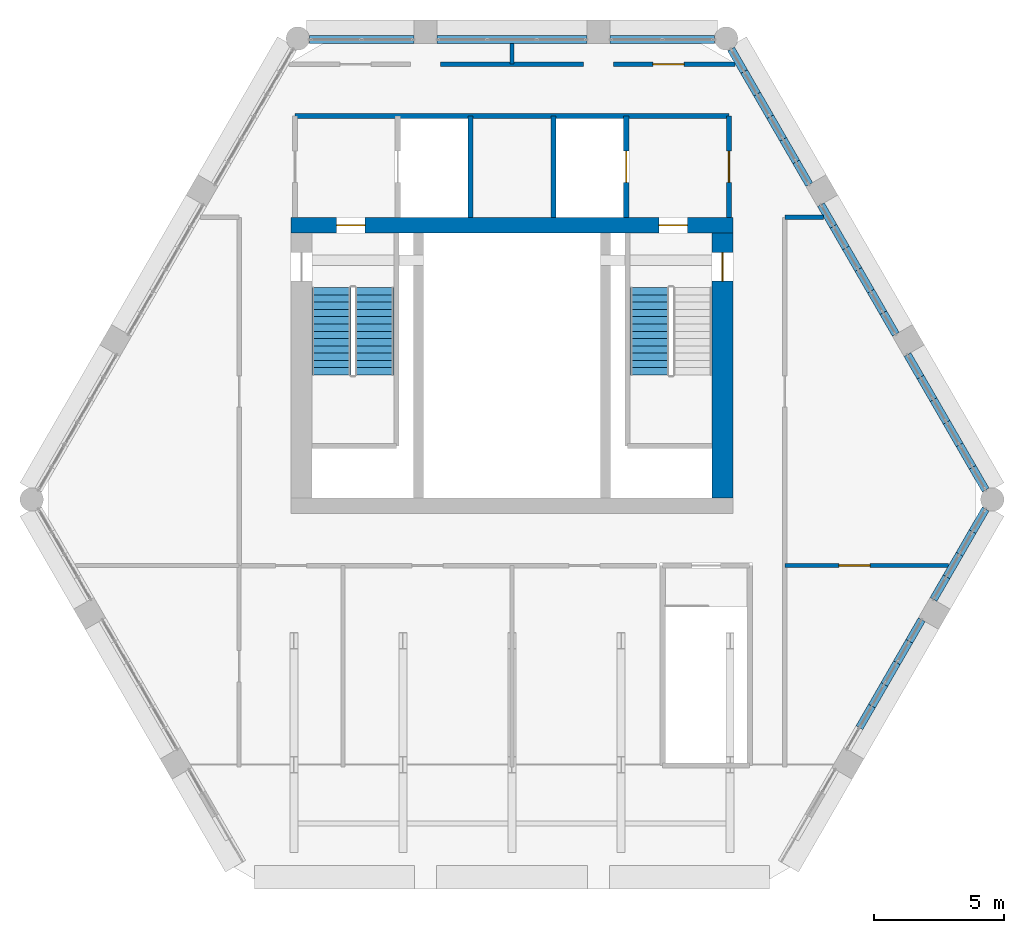
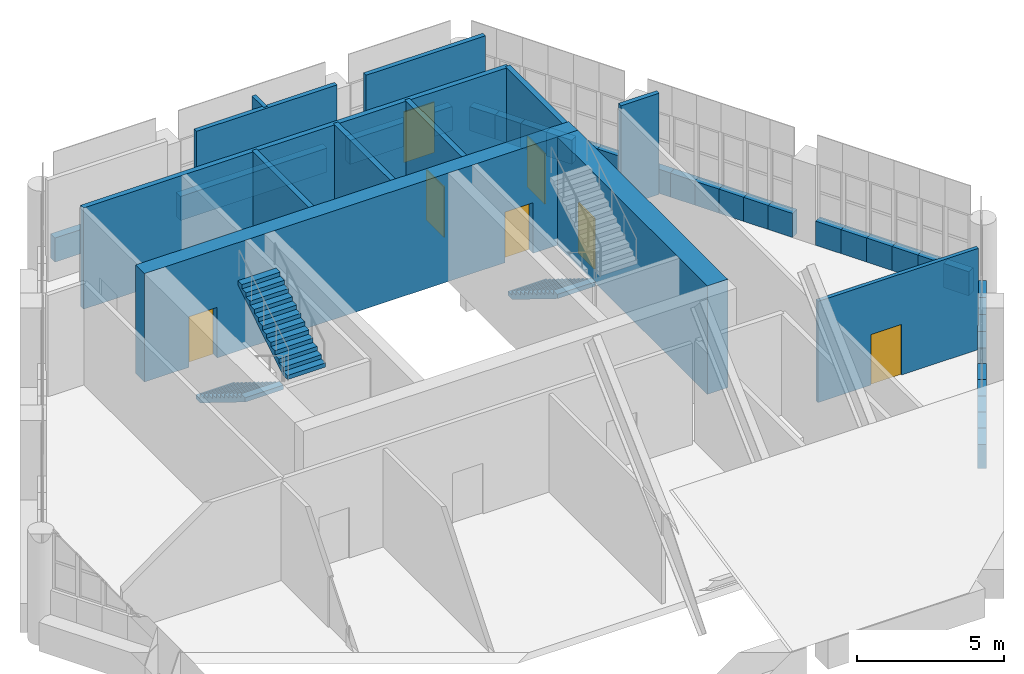
# One storey, part 21 of 25: 42 walls, 7 doors, 3 stair flights, 7 openings, 2 elements without a shape of their own.
"""IFC4 building model written with IfcOpenShell, lengths in metres."""

from ifc_helpers import new_model, si_unit, direction, frame, frame_2d, origin, place, context, subcontext, project, spatial, polyline, rectangle, outline, extrude, material, layer, layer_set, type_object, element, fill, aggregate, save


model = new_model("IFC4")

# Units and contexts
model_context = context("Model", 3, precision=1e-05, world=origin(), true_north=direction((0.0, 1.0)))
body_context = subcontext(model_context, "Body", "Model", "MODEL_VIEW")
ifc_project = project(units=[si_unit("LENGTHUNIT", "METRE"), si_unit("AREAUNIT", "SQUARE_METRE"), si_unit("VOLUMEUNIT", "CUBIC_METRE"), si_unit("PLANEANGLEUNIT", "RADIAN"), si_unit("MASSUNIT", "GRAM", prefix="KILO")], contexts=[model_context])

# Site, building, storey
site_placement = place(None, origin())
site = spatial("IfcSite", under=ifc_project, at=site_placement, CompositionType="ELEMENT")
building_placement = place(site_placement, origin())
building = spatial("IfcBuilding", under=site, at=building_placement, Name="Ostrander Bayou Hotel Tower", CompositionType="ELEMENT")
storey_placement = place(building_placement, frame((0.0, 0.0, 275.0)))
storey = spatial("IfcBuildingStorey", under=building, at=storey_placement, Name="L68", CompositionType="ELEMENT", Elevation=275.0)

# Wall, openings, doors
ifc_material_1 = material(Name="Concrete f'c 60 MPa", Category="concrete")
ifc_layer_1 = layer(ifc_material_1, 0.60009765625)
ifc_layer_set_1 = layer_set([ifc_layer_1], Name="CW10 core wall 600 mm f'c 60 MPa")
wall_type_1 = type_object("IfcWallType", Name="CW10 core wall 600 mm f'c 60 MPa", PredefinedType="SHEAR", material=ifc_layer_set_1)
wall_1_placement = place(storey_placement, frame((-8.5, 9.39990234375, -0.300048828125), z_axis=(0.0, 0.0, 1.0), x_axis=(1.0, 0.0, 0.0)))
wall_1 = element("IfcWall", 1, at=wall_1_placement, inside=storey, type_object=wall_type_1, Name="CW10 L68 N", PredefinedType="SHEAR", context=body_context, shape_type="SweptSolid", body=[
    extrude(rectangle(XDim=17.0, YDim=0.60009765625, at=frame_2d((8.5, 0.0))), origin(), (0.0, 0.0, 1.0), 4.5),
])
opening_1_placement = place(wall_1_placement, frame((1.75, 0.0, 0.0)))
opening_1 = element("IfcOpeningElement", 2, at=opening_1_placement, cuts=wall_1, Name="Opening T68-001", PredefinedType="OPENING", context=body_context, shape_type="SweptSolid", body=[
    extrude(rectangle(XDim=1.10009765625, YDim=2.10009765625, at=frame_2d((0.550048828125, 1.050048828125))), frame((0.0, 0.300048828125, 0.0), z_axis=(0.0, -1.0, 0.0), x_axis=(1.0, 0.0, 0.0)), (0.0, 0.0, 1.0), 0.60009765625),
])
opening_2_placement = place(wall_1_placement, frame((14.14990234375, 0.0, 0.0)))
opening_2 = element("IfcOpeningElement", 3, at=opening_2_placement, cuts=wall_1, Name="Opening T68-003", PredefinedType="OPENING", context=body_context, shape_type="SweptSolid", body=[
    extrude(rectangle(XDim=1.10009765625, YDim=2.10009765625, at=frame_2d((0.550048828125, 1.050048828125))), frame((0.0, 0.300048828125, 0.0), z_axis=(0.0, -1.0, 0.0), x_axis=(1.0, 0.0, 0.0)), (0.0, 0.0, 1.0), 0.60009765625),
])
ifc_material_2 = material(Name="Timber door leaf", Category="wood")
door_type_1 = type_object("IfcDoorType", Name="D5 stair door 1100 x 2100 mm, 90 minute", OperationType="SINGLE_SWING_LEFT", PredefinedType="DOOR", material=ifc_material_2)
door_1_placement = place(opening_1_placement, origin())
door_1 = element("IfcDoor", 4, at=door_1_placement, inside=storey, type_object=door_type_1, Name="dr:L68:001", OperationType="SINGLE_SWING_LEFT", OverallHeight=2.10009765625, OverallWidth=1.10009765625, PredefinedType="DOOR", context=body_context, shape_type="SweptSolid", body=[
    extrude(rectangle(XDim=1.10009765625, YDim=2.10009765625, at=frame_2d((0.550048828125, 1.050048828125))), frame((0.0, 0.02490234375, 0.0), z_axis=(0.0, -1.0, 0.0), x_axis=(1.0, 0.0, 0.0)), (0.0, 0.0, 1.0), 0.050048828125),
])
fill(opening_1, door_1)
door_2_placement = place(opening_2_placement, origin())
door_2 = element("IfcDoor", 5, at=door_2_placement, inside=storey, type_object=door_type_1, Name="dr:L68:003", OperationType="SINGLE_SWING_RIGHT", OverallHeight=2.10009765625, OverallWidth=1.10009765625, PredefinedType="DOOR", context=body_context, shape_type="SweptSolid", body=[
    extrude(rectangle(XDim=1.10009765625, YDim=2.10009765625, at=frame_2d((0.550048828125, 1.050048828125))), frame((0.0, 0.02490234375, 0.0), z_axis=(0.0, -1.0, 0.0), x_axis=(1.0, 0.0, 0.0)), (0.0, 0.0, 1.0), 0.050048828125),
])
fill(opening_2, door_2)

# Wall, opening, door
ifc_material_3 = material(Name="Concrete f'c 60 MPa", Category="concrete")
ifc_layer_2 = layer(ifc_material_3, 0.800048828125)
ifc_layer_set_2 = layer_set([ifc_layer_2], Name="CW11 core spine wall 800 mm f'c 60 MPa")
wall_type_2 = type_object("IfcWallType", Name="CW11 core spine wall 800 mm f'c 60 MPa", PredefinedType="SHEAR", material=ifc_layer_set_2)
wall_2_placement = place(storey_placement, frame((8.10009765625, -1.10009765625, -0.300048828125), z_axis=(0.0, 0.0, 1.0), x_axis=(0.0, 1.0, 0.0)))
wall_2 = element("IfcWall", 6, at=wall_2_placement, inside=storey, type_object=wall_type_2, Name="CW11 L68 E", PredefinedType="SHEAR", context=body_context, shape_type="SweptSolid", body=[
    extrude(rectangle(XDim=10.2001953125, YDim=0.800048828125, at=frame_2d((5.10009765625, 0.0))), origin(), (0.0, 0.0, 1.0), 4.5),
])
opening_3_placement = place(wall_2_placement, frame((8.35009765625, 0.0, 0.0)))
opening_3 = element("IfcOpeningElement", 7, at=opening_3_placement, cuts=wall_2, Name="Opening T68-004", PredefinedType="OPENING", context=body_context, shape_type="SweptSolid", body=[
    extrude(rectangle(XDim=1.10009765625, YDim=2.10009765625, at=frame_2d((0.550048828125, 1.050048828125))), frame((0.0, 0.39990234375, 0.0), z_axis=(0.0, -1.0, 0.0), x_axis=(1.0, 0.0, 0.0)), (0.0, 0.0, 1.0), 0.800048828125),
])
door_3_placement = place(opening_3_placement, origin())
door_3 = element("IfcDoor", 8, at=door_3_placement, inside=storey, type_object=door_type_1, Name="dr:L68:004", OperationType="SINGLE_SWING_LEFT", OverallHeight=2.10009765625, OverallWidth=1.10009765625, PredefinedType="DOOR", context=body_context, shape_type="SweptSolid", body=[
    extrude(rectangle(XDim=1.10009765625, YDim=2.10009765625, at=frame_2d((0.550048828125, 1.050048828125))), frame((0.0, 0.02490234375, 0.0), z_axis=(0.0, -1.0, 0.0), x_axis=(1.0, 0.0, 0.0)), (0.0, 0.0, 1.0), 0.050048828125),
])
fill(opening_3, door_3)

# Walls
ifc_material_4 = material(Name="Reconstituted stone on masonry backing", Category="masonry")
ifc_layer_3 = layer(ifc_material_4, 0.300048828125)
ifc_layer_set_3 = layer_set([ifc_layer_3], Name="NW1 north stone wall 300 mm")
wall_type_3 = type_object("IfcWallType", Name="NW1 north stone wall 300 mm", PredefinedType="SOLIDWALL", material=ifc_layer_set_3)
wall_3_placement = place(storey_placement, frame((7.7958984375, 16.550048828125, 0.0), z_axis=(0.0, 0.0, 1.0), x_axis=(-1.0, 0.0, 0.0)))
element("IfcWall", 9, at=wall_3_placement, inside=storey, type_object=wall_type_3, Name="NW1 L68 N-1 sill", PredefinedType="SOLIDWALL", context=body_context, shape_type="SweptSolid", body=[
    extrude(rectangle(XDim=4.0166015625, YDim=0.300048828125, at=frame_2d((2.00830078125, 0.0))), origin(), (0.0, 0.0, 1.0), 1.0),
])
wall_4_placement = place(storey_placement, frame((2.87939453125, 16.550048828125, 0.0), z_axis=(0.0, 0.0, 1.0), x_axis=(-1.0, 0.0, 0.0)))
element("IfcWall", 10, at=wall_4_placement, inside=storey, type_object=wall_type_3, Name="NW1 L68 N-2 sill", PredefinedType="SOLIDWALL", context=body_context, shape_type="SweptSolid", body=[
    extrude(rectangle(XDim=5.7587890625, YDim=0.300048828125, at=frame_2d((2.87939453125, 0.0))), origin(), (0.0, 0.0, 1.0), 1.0),
])
wall_5_placement = place(storey_placement, frame((-3.779296875, 16.550048828125, 0.0), z_axis=(0.0, 0.0, 1.0), x_axis=(-1.0, 0.0, 0.0)))
element("IfcWall", 11, at=wall_5_placement, inside=storey, type_object=wall_type_3, Name="NW1 L68 N-3 sill", PredefinedType="SOLIDWALL", context=body_context, shape_type="SweptSolid", body=[
    extrude(rectangle(XDim=4.0166015625, YDim=0.300048828125, at=frame_2d((2.00830078125, 0.0))), origin(), (0.0, 0.0, 1.0), 1.0),
])
for number, where, z_axis, x_axis, name in (
    (12, (13.372802734375, -9.9375, 0.0), (0.0, 0.0, 1.0), (0.500023335103, 0.866011930837, 0.0), "NW1 L68 SE-2-2 sill"),
    (13, (13.852783203125, -9.106201171875, 0.0), (0.0, 0.0, 1.0), (0.500023335103, 0.866011930837, 0.0), "NW1 L68 SE-2-3 sill"),
):
    element("IfcWall", number, at=place(storey_placement, frame(where, z_axis=z_axis, x_axis=x_axis)), inside=storey, type_object=wall_type_3, Name=name, PredefinedType="SOLIDWALL", context=body_context, shape_type="SweptSolid", body=[
        extrude(rectangle(XDim=0.9599609375, YDim=0.300048828125, at=frame_2d((0.47998046875, 0.0))), origin(), (0.0, 0.0, 1.0), 1.0),
    ])
wall_6_placement = place(storey_placement, frame((14.332763671875, -8.27490234375, 0.0), z_axis=(0.0, 0.0, 1.0), x_axis=(0.499942693199, 0.866058487353, 0.0)))
element("IfcWall", 14, at=wall_6_placement, inside=storey, type_object=wall_type_3, Name="NW1 L68 SE-2-4 sill", PredefinedType="SOLIDWALL", context=body_context, shape_type="SweptSolid", body=[
    extrude(rectangle(XDim=0.95947265625, YDim=0.300048828125, at=frame_2d((0.479736328125, 0.0))), origin(), (0.0, 0.0, 1.0), 1.0),
])
wall_7_placement = place(storey_placement, frame((14.8125, -7.44384765625, 0.0), z_axis=(0.0, 0.0, 1.0), x_axis=(0.500023335103, 0.866011930837, 0.0)))
element("IfcWall", 15, at=wall_7_placement, inside=storey, type_object=wall_type_3, Name="NW1 L68 SE-2-5 sill", PredefinedType="SOLIDWALL", context=body_context, shape_type="SweptSolid", body=[
    extrude(rectangle(XDim=0.9599609375, YDim=0.300048828125, at=frame_2d((0.47998046875, 0.0))), origin(), (0.0, 0.0, 1.0), 1.0),
])
wall_8_placement = place(storey_placement, frame((15.29248046875, -6.612548828125, 0.0), z_axis=(0.0, 0.0, 1.0), x_axis=(0.500133489192, 0.865948320045, 0.0)))
element("IfcWall", 16, at=wall_8_placement, inside=storey, type_object=wall_type_3, Name="NW1 L68 SE-2-6 sill", PredefinedType="SOLIDWALL", context=body_context, shape_type="SweptSolid", body=[
    extrude(rectangle(XDim=0.959716796875, YDim=0.300048828125, at=frame_2d((0.47998046875, 0.0))), origin(), (0.0, 0.0, 1.0), 1.0),
])
wall_9_placement = place(storey_placement, frame((16.222412109375, -5.001953125, 0.0), z_axis=(0.0, 0.0, 1.0), x_axis=(0.500115484592, 0.865958718457, 0.0)))
element("IfcWall", 17, at=wall_9_placement, inside=storey, type_object=wall_type_3, Name="NW1 L68 SE-3-1 sill", PredefinedType="SOLIDWALL", context=body_context, shape_type="SweptSolid", body=[
    extrude(rectangle(XDim=1.003662109375, YDim=0.300048828125, at=frame_2d((0.501953125, 0.0))), origin(), (0.0, 0.0, 1.0), 1.0),
])
wall_10_placement = place(storey_placement, frame((16.724365234375, -4.1328125, 0.0), z_axis=(0.0, 0.0, 1.0), x_axis=(0.499904868165, 0.866080321209, 0.0)))
element("IfcWall", 18, at=wall_10_placement, inside=storey, type_object=wall_type_3, Name="NW1 L68 SE-3-2 sill", PredefinedType="SOLIDWALL", context=body_context, shape_type="SweptSolid", body=[
    extrude(rectangle(XDim=1.004150390625, YDim=0.300048828125, at=frame_2d((0.501953125, 0.0))), origin(), (0.0, 0.0, 1.0), 1.0),
])
wall_11_placement = place(storey_placement, frame((17.226318359375, -3.26318359375, 0.0), z_axis=(0.0, 0.0, 1.0), x_axis=(0.499933044277, 0.866064057238, 0.0)))
element("IfcWall", 19, at=wall_11_placement, inside=storey, type_object=wall_type_3, Name="NW1 L68 SE-3-3 sill", PredefinedType="SOLIDWALL", context=body_context, shape_type="SweptSolid", body=[
    extrude(rectangle(XDim=1.003662109375, YDim=0.300048828125, at=frame_2d((0.501953125, 0.0))), origin(), (0.0, 0.0, 1.0), 1.0),
])
wall_12_placement = place(storey_placement, frame((17.72802734375, -2.39404296875, 0.0), z_axis=(0.0, 0.0, 1.0), x_axis=(0.500010157896, 0.866019539041, 0.0)))
element("IfcWall", 20, at=wall_12_placement, inside=storey, type_object=wall_type_3, Name="NW1 L68 SE-3-4 sill", PredefinedType="SOLIDWALL", context=body_context, shape_type="SweptSolid", body=[
    extrude(rectangle(XDim=1.00390625, YDim=0.300048828125, at=frame_2d((0.501953125, 0.0))), origin(), (0.0, 0.0, 1.0), 1.0),
])
for number, where, z_axis, x_axis, name in (
    (21, (18.22998046875, -0.788330078125, 0.0), (0.0, 0.0, 1.0), (-0.499961250474, 0.866047774678, 0.0), "NW1 L68 NE-1-1 sill"),
    (22, (17.728515625, 0.080322265625, 0.0), (0.0, 0.0, 1.0), (-0.499961250474, 0.866047774678, 0.0), "NW1 L68 NE-1-2 sill"),
    (23, (17.22705078125, 0.948974609375, 0.0), (0.0, 0.0, 1.0), (-0.499961250474, 0.866047774678, 0.0), "NW1 L68 NE-1-3 sill"),
    (24, (16.7255859375, 1.817626953125, 0.0), (0.0, 0.0, 1.0), (-0.499961250474, 0.866047774678, 0.0), "NW1 L68 NE-1-4 sill"),
):
    element("IfcWall", number, at=place(storey_placement, frame(where, z_axis=z_axis, x_axis=x_axis)), inside=storey, type_object=wall_type_3, Name=name, PredefinedType="SOLIDWALL", context=body_context, shape_type="SweptSolid", body=[
        extrude(rectangle(XDim=1.0029296875, YDim=0.300048828125, at=frame_2d((0.50146484375, 0.0))), origin(), (0.0, 0.0, 1.0), 1.0),
    ])
wall_13_placement = place(storey_placement, frame((16.22412109375, 2.686279296875, 0.0), z_axis=(0.0, 0.0, 1.0), x_axis=(-0.500143783026, 0.865942374699, 0.0)))
element("IfcWall", 25, at=wall_13_placement, inside=storey, type_object=wall_type_3, Name="NW1 L68 NE-1-5 sill", PredefinedType="SOLIDWALL", context=body_context, shape_type="SweptSolid", body=[
    extrude(rectangle(XDim=1.003173828125, YDim=0.300048828125, at=frame_2d((0.50146484375, 0.0))), origin(), (0.0, 0.0, 1.0), 1.0),
])
wall_14_placement = place(storey_placement, frame((15.722412109375, 3.554931640625, 0.0), z_axis=(0.0, 0.0, 1.0), x_axis=(-0.499961250474, 0.866047774678, 0.0)))
element("IfcWall", 26, at=wall_14_placement, inside=storey, type_object=wall_type_3, Name="NW1 L68 NE-1-6 sill", PredefinedType="SOLIDWALL", context=body_context, shape_type="SweptSolid", body=[
    extrude(rectangle(XDim=1.0029296875, YDim=0.300048828125, at=frame_2d((0.50146484375, 0.0))), origin(), (0.0, 0.0, 1.0), 1.0),
])
wall_15_placement = place(storey_placement, frame((14.77099609375, 5.203125, 0.0), z_axis=(0.0, 0.0, 1.0), x_axis=(-0.500133489192, 0.865948320045, 0.0)))
element("IfcWall", 27, at=wall_15_placement, inside=storey, type_object=wall_type_3, Name="NW1 L68 NE-2-1 sill", PredefinedType="SOLIDWALL", context=body_context, shape_type="SweptSolid", body=[
    extrude(rectangle(XDim=0.959716796875, YDim=0.300048828125, at=frame_2d((0.47998046875, 0.0))), origin(), (0.0, 0.0, 1.0), 1.0),
])
wall_16_placement = place(storey_placement, frame((14.291015625, 6.0341796875, 0.0), z_axis=(0.0, 0.0, 1.0), x_axis=(-0.500023335103, 0.866011930837, 0.0)))
element("IfcWall", 28, at=wall_16_placement, inside=storey, type_object=wall_type_3, Name="NW1 L68 NE-2-2 sill", PredefinedType="SOLIDWALL", context=body_context, shape_type="SweptSolid", body=[
    extrude(rectangle(XDim=0.9599609375, YDim=0.300048828125, at=frame_2d((0.47998046875, 0.0))), origin(), (0.0, 0.0, 1.0), 1.0),
])
wall_17_placement = place(storey_placement, frame((13.81103515625, 6.865478515625, 0.0), z_axis=(0.0, 0.0, 1.0), x_axis=(-0.499832553123, 0.866122057702, 0.0)))
element("IfcWall", 29, at=wall_17_placement, inside=storey, type_object=wall_type_3, Name="NW1 L68 NE-2-3 sill", PredefinedType="SOLIDWALL", context=body_context, shape_type="SweptSolid", body=[
    extrude(rectangle(XDim=0.959716796875, YDim=0.300048828125, at=frame_2d((0.47998046875, 0.0))), origin(), (0.0, 0.0, 1.0), 1.0),
])
wall_18_placement = place(storey_placement, frame((13.331298828125, 7.69677734375, 0.0), z_axis=(0.0, 0.0, 1.0), x_axis=(-0.500023335103, 0.866011930837, 0.0)))
element("IfcWall", 30, at=wall_18_placement, inside=storey, type_object=wall_type_3, Name="NW1 L68 NE-2-4 sill", PredefinedType="SOLIDWALL", context=body_context, shape_type="SweptSolid", body=[
    extrude(rectangle(XDim=0.9599609375, YDim=0.300048828125, at=frame_2d((0.47998046875, 0.0))), origin(), (0.0, 0.0, 1.0), 1.0),
])
for number, where, z_axis, x_axis, name in (
    (31, (12.851318359375, 8.528076171875, 0.0), (0.0, 0.0, 1.0), (-0.500133489192, 0.865948320045, 0.0), "NW1 L68 NE-2-5 sill"),
    (32, (12.371337890625, 9.359130859375, 0.0), (0.0, 0.0, 1.0), (-0.499832553123, 0.866122057702, 0.0), "NW1 L68 NE-2-6 sill"),
):
    element("IfcWall", number, at=place(storey_placement, frame(where, z_axis=z_axis, x_axis=x_axis)), inside=storey, type_object=wall_type_3, Name=name, PredefinedType="SOLIDWALL", context=body_context, shape_type="SweptSolid", body=[
        extrude(rectangle(XDim=0.959716796875, YDim=0.300048828125, at=frame_2d((0.47998046875, 0.0))), origin(), (0.0, 0.0, 1.0), 1.0),
    ])
for number, where, z_axis, x_axis, name in (
    (33, (11.44140625, 10.9697265625, 0.0), (0.0, 0.0, 1.0), (-0.499855875421, 0.866108598161, 0.0), "NW1 L68 NE-3-1 sill"),
    (34, (10.93994140625, 11.838623046875, 0.0), (0.0, 0.0, 1.0), (-0.500143783026, 0.865942374699, 0.0), "NW1 L68 NE-3-2 sill"),
    (35, (10.438232421875, 12.707275390625, 0.0), (0.0, 0.0, 1.0), (-0.499855875421, 0.866108598161, 0.0), "NW1 L68 NE-3-3 sill"),
):
    element("IfcWall", number, at=place(storey_placement, frame(where, z_axis=z_axis, x_axis=x_axis)), inside=storey, type_object=wall_type_3, Name=name, PredefinedType="SOLIDWALL", context=body_context, shape_type="SweptSolid", body=[
        extrude(rectangle(XDim=1.003173828125, YDim=0.300048828125, at=frame_2d((0.50146484375, 0.0))), origin(), (0.0, 0.0, 1.0), 1.0),
    ])
wall_19_placement = place(storey_placement, frame((9.936767578125, 13.576171875, 0.0), z_axis=(0.0, 0.0, 1.0), x_axis=(-0.499961250474, 0.866047774678, 0.0)))
element("IfcWall", 36, at=wall_19_placement, inside=storey, type_object=wall_type_3, Name="NW1 L68 NE-3-4 sill", PredefinedType="SOLIDWALL", context=body_context, shape_type="SweptSolid", body=[
    extrude(rectangle(XDim=1.0029296875, YDim=0.300048828125, at=frame_2d((0.50146484375, 0.0))), origin(), (0.0, 0.0, 1.0), 1.0),
])
wall_20_placement = place(storey_placement, frame((9.435302734375, 14.44482421875, 0.0), z_axis=(0.0, 0.0, 1.0), x_axis=(-0.500038395149, 0.8660032352, 0.0)))
element("IfcWall", 37, at=wall_20_placement, inside=storey, type_object=wall_type_3, Name="NW1 L68 NE-3-5 sill", PredefinedType="SOLIDWALL", context=body_context, shape_type="SweptSolid", body=[
    extrude(rectangle(XDim=1.00341796875, YDim=0.300048828125, at=frame_2d((0.501708984375, 0.0))), origin(), (0.0, 0.0, 1.0), 1.0),
])
wall_21_placement = place(storey_placement, frame((8.93359375, 15.313720703125, 0.0), z_axis=(0.0, 0.0, 1.0), x_axis=(-0.500143783026, 0.865942374699, 0.0)))
element("IfcWall", 38, at=wall_21_placement, inside=storey, type_object=wall_type_3, Name="NW1 L68 NE-3-6 sill", PredefinedType="SOLIDWALL", context=body_context, shape_type="SweptSolid", body=[
    extrude(rectangle(XDim=1.003173828125, YDim=0.300048828125, at=frame_2d((0.50146484375, 0.0))), origin(), (0.0, 0.0, 1.0), 1.0),
])
ifc_material_5 = material(Name="Gypsum board partition", Category="finish")
ifc_layer_4 = layer(ifc_material_5, 0.175048828125)
ifc_layer_set_4 = layer_set([ifc_layer_4], Name="PT4 corridor wall 175 mm, 1 hour")
wall_type_4 = type_object("IfcWallType", Name="PT4 corridor wall 175 mm, 1 hour", PredefinedType="PARTITIONING", material=ifc_layer_set_4)
wall_22_placement = place(storey_placement, frame((10.5, 9.699951171875, 0.0), z_axis=(0.0, 0.0, 1.0), x_axis=(1.0, 0.0, 0.0)))
element("IfcWall", 39, at=wall_22_placement, inside=storey, type_object=wall_type_4, Name="sw:L68:003", PredefinedType="PARTITIONING", context=body_context, shape_type="SweptSolid", body=[
    extrude(rectangle(XDim=1.496337890625, YDim=0.175048828125, at=frame_2d((0.748046875, 0.0))), origin(), (0.0, 0.0, 1.0), 4.199951171875),
])
wall_23_placement = place(storey_placement, frame((-2.755859375, 15.60009765625, 0.0), z_axis=(0.0, 0.0, 1.0), x_axis=(1.0, 0.0, 0.0)))
element("IfcWall", 40, at=wall_23_placement, inside=storey, type_object=wall_type_4, Name="sw:L68:005", PredefinedType="PARTITIONING", context=body_context, shape_type="SweptSolid", body=[
    extrude(rectangle(XDim=5.51171875, YDim=0.175048828125, at=frame_2d((2.755859375, 0.0))), origin(), (0.0, 0.0, 1.0), 4.199951171875),
])

# Wall, opening, door
wall_24_placement = place(storey_placement, frame((3.903076171875, 15.60009765625, 0.0), z_axis=(0.0, 0.0, 1.0), x_axis=(1.0, 0.0, 0.0)))
wall_24 = element("IfcWall", 41, at=wall_24_placement, inside=storey, type_object=wall_type_4, Name="sw:L68:006", PredefinedType="PARTITIONING", context=body_context, shape_type="SweptSolid", body=[
    extrude(rectangle(XDim=4.68701171875, YDim=0.175048828125, at=frame_2d((2.343505859375, 0.0))), origin(), (0.0, 0.0, 1.0), 4.199951171875),
])
opening_4_placement = place(wall_24_placement, frame((1.523193359375, 0.0, 0.0)))
opening_4 = element("IfcOpeningElement", 42, at=opening_4_placement, cuts=wall_24, Name="Opening T68-208", PredefinedType="OPENING", context=body_context, shape_type="SweptSolid", body=[
    extrude(rectangle(XDim=1.199951171875, YDim=2.10009765625, at=frame_2d((0.60009765625, 1.050048828125))), frame((0.0, 0.08740234375, 0.0), z_axis=(0.0, -1.0, 0.0), x_axis=(1.0, 0.0, 0.0)), (0.0, 0.0, 1.0), 0.175048828125),
])
ifc_material_6 = material(Name="Timber door leaf", Category="wood")
door_type_2 = type_object("IfcDoorType", Name="D10 plant room door 1200 x 2100 mm, 1 hour", OperationType="SINGLE_SWING_LEFT", PredefinedType="DOOR", material=ifc_material_6)
door_4_placement = place(opening_4_placement, origin())
door_4 = element("IfcDoor", 43, at=door_4_placement, inside=storey, type_object=door_type_2, Name="dr:L68:208", OperationType="SINGLE_SWING_RIGHT", OverallHeight=2.10009765625, OverallWidth=1.199951171875, PredefinedType="DOOR", context=body_context, shape_type="SweptSolid", body=[
    extrude(rectangle(XDim=1.199951171875, YDim=2.10009765625, at=frame_2d((0.60009765625, 1.050048828125))), frame((0.0, 0.02490234375, 0.0), z_axis=(0.0, -1.0, 0.0), x_axis=(1.0, 0.0, 0.0)), (0.0, 0.0, 1.0), 0.050048828125),
])
fill(opening_4, door_4)

# Wall
ifc_material_7 = material(Name="Masonry block", Category="masonry")
ifc_layer_5 = layer(ifc_material_7, 0.199951171875)
ifc_layer_set_5 = layer_set([ifc_layer_5], Name="PT5 stair enclosure wall 200 mm masonry, 2 hour")
wall_type_5 = type_object("IfcWallType", Name="PT5 stair enclosure wall 200 mm masonry, 2 hour", PredefinedType="PARTITIONING", material=ifc_layer_set_5)
wall_25_placement = place(storey_placement, frame((-8.35009765625, 13.60009765625, 0.0), z_axis=(0.0, 0.0, 1.0), x_axis=(1.0, 0.0, 0.0)))
element("IfcWall", 44, at=wall_25_placement, inside=storey, type_object=wall_type_5, Name="cs:L68:009", PredefinedType="PARTITIONING", context=body_context, shape_type="SweptSolid", body=[
    extrude(rectangle(XDim=16.7001953125, YDim=0.199951171875, at=frame_2d((8.35009765625, 0.0))), origin(), (0.0, 0.0, 1.0), 4.199951171875),
])

# Wall, opening, door
wall_26_placement = place(storey_placement, frame((8.35009765625, 9.699951171875, 0.0), z_axis=(0.0, 0.0, 1.0), x_axis=(0.0, 1.0, 0.0)))
wall_26 = element("IfcWall", 45, at=wall_26_placement, inside=storey, type_object=wall_type_5, Name="cs:L68:011", PredefinedType="PARTITIONING", context=body_context, shape_type="SweptSolid", body=[
    extrude(rectangle(XDim=3.900146484375, YDim=0.199951171875, at=frame_2d((1.9501953125, 0.0))), origin(), (0.0, 0.0, 1.0), 4.199951171875),
])
opening_5_placement = place(wall_26_placement, frame((1.35009765625, 0.0, 0.0)))
opening_5 = element("IfcOpeningElement", 46, at=opening_5_placement, cuts=wall_26, Name="Opening T68-009", PredefinedType="OPENING", context=body_context, shape_type="SweptSolid", body=[
    extrude(rectangle(XDim=1.199951171875, YDim=2.10009765625, at=frame_2d((0.60009765625, 1.050048828125))), frame((0.0, 0.10009765625, 0.0), z_axis=(0.0, -1.0, 0.0), x_axis=(1.0, 0.0, 0.0)), (0.0, 0.0, 1.0), 0.199951171875),
])
ifc_material_8 = material(Name="Timber door leaf", Category="wood")
door_type_3 = type_object("IfcDoorType", Name="D7 lobby door 1200 x 2100 mm, 1 hour", OperationType="SINGLE_SWING_LEFT", PredefinedType="DOOR", material=ifc_material_8)
door_5_placement = place(opening_5_placement, origin())
door_5 = element("IfcDoor", 47, at=door_5_placement, inside=storey, type_object=door_type_3, Name="dr:L68:009", OperationType="SINGLE_SWING_LEFT", OverallHeight=2.10009765625, OverallWidth=1.199951171875, PredefinedType="DOOR", context=body_context, shape_type="SweptSolid", body=[
    extrude(rectangle(XDim=1.199951171875, YDim=2.10009765625, at=frame_2d((0.60009765625, 1.050048828125))), frame((0.0, 0.02490234375, 0.0), z_axis=(0.0, -1.0, 0.0), x_axis=(1.0, 0.0, 0.0)), (0.0, 0.0, 1.0), 0.050048828125),
])
fill(opening_5, door_5)

wall_27_placement = place(storey_placement, frame((4.39990234375, 9.699951171875, 0.0), z_axis=(0.0, 0.0, 1.0), x_axis=(0.0, 1.0, 0.0)))
wall_27 = element("IfcWall", 48, at=wall_27_placement, inside=storey, type_object=wall_type_5, Name="cs:L68:013", PredefinedType="PARTITIONING", context=body_context, shape_type="SweptSolid", body=[
    extrude(rectangle(XDim=3.900146484375, YDim=0.199951171875, at=frame_2d((1.9501953125, 0.0))), origin(), (0.0, 0.0, 1.0), 4.199951171875),
])
opening_6_placement = place(wall_27_placement, frame((1.35009765625, 0.0, 0.0)))
opening_6 = element("IfcOpeningElement", 49, at=opening_6_placement, cuts=wall_27, Name="Opening T68-008", PredefinedType="OPENING", context=body_context, shape_type="SweptSolid", body=[
    extrude(rectangle(XDim=1.199951171875, YDim=2.10009765625, at=frame_2d((0.60009765625, 1.050048828125))), frame((0.0, 0.10009765625, 0.0), z_axis=(0.0, -1.0, 0.0), x_axis=(1.0, 0.0, 0.0)), (0.0, 0.0, 1.0), 0.199951171875),
])
ifc_material_9 = material(Name="Stainless steel sliding door", Category="steel")
door_type_4 = type_object("IfcDoorType", Name="LD1 lift landing door 1200 x 2100 mm", OperationType="SINGLE_SWING_LEFT", PredefinedType="DOOR", material=ifc_material_9)
door_6_placement = place(opening_6_placement, origin())
door_6 = element("IfcDoor", 50, at=door_6_placement, inside=storey, type_object=door_type_4, Name="dr:L68:008", OperationType="SLIDING_TO_LEFT", OverallHeight=2.10009765625, OverallWidth=1.199951171875, PredefinedType="DOOR", context=body_context, shape_type="SweptSolid", body=[
    extrude(rectangle(XDim=1.199951171875, YDim=2.10009765625, at=frame_2d((0.60009765625, 1.050048828125))), frame((0.0, 0.02490234375, 0.0), z_axis=(0.0, -1.0, 0.0), x_axis=(1.0, 0.0, 0.0)), (0.0, 0.0, 1.0), 0.050048828125),
])
fill(opening_6, door_6)

# Walls
ifc_material_10 = material(Name="Masonry block", Category="masonry")
ifc_layer_6 = layer(ifc_material_10, 0.199951171875)
ifc_layer_set_6 = layer_set([ifc_layer_6], Name="PT6 lift shaft wall 200 mm masonry, 2 hour")
wall_type_6 = type_object("IfcWallType", Name="PT6 lift shaft wall 200 mm masonry, 2 hour", PredefinedType="PARTITIONING", material=ifc_layer_set_6)
for number, where, z_axis, x_axis, name in (
    (51, (-1.60009765625, 9.699951171875, 0.0), (0.0, 0.0, 1.0), (0.0, 1.0, 0.0), "cs:L68:014"),
    (52, (1.60009765625, 9.699951171875, 0.0), (0.0, 0.0, 1.0), (0.0, 1.0, 0.0), "cs:L68:015"),
):
    element("IfcWall", number, at=place(storey_placement, frame(where, z_axis=z_axis, x_axis=x_axis)), inside=storey, type_object=wall_type_6, Name=name, PredefinedType="PARTITIONING", context=body_context, shape_type="SweptSolid", body=[
        extrude(rectangle(XDim=3.900146484375, YDim=0.199951171875, at=frame_2d((1.9501953125, 0.0))), origin(), (0.0, 0.0, 1.0), 4.199951171875),
    ])

# Wall, opening, door
ifc_material_11 = material(Name="Gypsum board partition", Category="finish")
ifc_layer_7 = layer(ifc_material_11, 0.14990234375)
ifc_layer_set_7 = layer_set([ifc_layer_7], Name="PT7 riser wall 150 mm, 2 hour")
wall_type_7 = type_object("IfcWallType", Name="PT7 riser wall 150 mm, 2 hour", PredefinedType="PARTITIONING", material=ifc_layer_set_7)
wall_28_placement = place(storey_placement, frame((10.5, -3.699951171875, 0.0), z_axis=(0.0, 0.0, 1.0), x_axis=(1.0, 0.0, 0.0)))
wall_28 = element("IfcWall", 53, at=wall_28_placement, inside=storey, type_object=wall_type_7, Name="sw:L68:010", PredefinedType="PARTITIONING", context=body_context, shape_type="SweptSolid", body=[
    extrude(rectangle(XDim=6.2958984375, YDim=0.14990234375, at=frame_2d((3.14794921875, 0.0))), origin(), (0.0, 0.0, 1.0), 4.199951171875),
])
opening_7_placement = place(wall_28_placement, frame((2.079833984375, 0.0, 0.0)))
opening_7 = element("IfcOpeningElement", 54, at=opening_7_placement, cuts=wall_28, Name="Opening T68-205", PredefinedType="OPENING", context=body_context, shape_type="SweptSolid", body=[
    extrude(rectangle(XDim=1.199951171875, YDim=2.10009765625, at=frame_2d((0.60009765625, 1.050048828125))), frame((0.0, 0.074951171875, 0.0), z_axis=(0.0, -1.0, 0.0), x_axis=(1.0, 0.0, 0.0)), (0.0, 0.0, 1.0), 0.14990234375),
])
door_7_placement = place(opening_7_placement, origin())
door_7 = element("IfcDoor", 55, at=door_7_placement, inside=storey, type_object=door_type_2, Name="dr:L68:205", OperationType="SINGLE_SWING_LEFT", OverallHeight=2.10009765625, OverallWidth=1.199951171875, PredefinedType="DOOR", context=body_context, shape_type="SweptSolid", body=[
    extrude(rectangle(XDim=1.199951171875, YDim=2.10009765625, at=frame_2d((0.60009765625, 1.050048828125))), frame((0.0, 0.02490234375, 0.0), z_axis=(0.0, -1.0, 0.0), x_axis=(1.0, 0.0, 0.0)), (0.0, 0.0, 1.0), 0.050048828125),
])
fill(opening_7, door_7)

# Wall
wall_29_placement = place(storey_placement, frame((0.0, 15.60009765625, 0.0), z_axis=(0.0, 0.0, 1.0), x_axis=(0.0, 1.0, 0.0)))
element("IfcWall", 56, at=wall_29_placement, inside=storey, type_object=wall_type_7, Name="sw:L68:014", PredefinedType="PARTITIONING", context=body_context, shape_type="SweptSolid", body=[
    extrude(rectangle(XDim=0.794921875, YDim=0.14990234375, at=frame_2d((0.3974609375, 0.0))), origin(), (0.0, 0.0, 1.0), 4.199951171875),
])

# Stair, stair flights
ifc_material_12 = material(Name="Concrete f'c 45 MPa", Category="concrete")
stair_type = type_object("IfcStairType", Name="ST1 exit stair 1500 mm f'c 45 MPa", PredefinedType="HALF_TURN_STAIR", material=ifc_material_12)
stair_1_placement = place(storey_placement, origin())
stair_1 = element("IfcStair", 57, at=stair_1_placement, inside=storey, type_object=stair_type, Name="L68 exit stair A", PredefinedType="HALF_TURN_STAIR")
ifc_material_13 = material(Name="Concrete f'c 45 MPa", Category="concrete")
stair_flight_type = type_object("IfcStairFlightType", Name="SF1 stair flight 1500 mm f'c 45 MPa", PredefinedType="STRAIGHT", material=ifc_material_13)
stair_flight_1_placement = place(storey_placement, frame((-6.949951171875, 7.0, 0.0), z_axis=(0.0, 0.0, 1.0), x_axis=(0.0, -1.0, 0.0)))
stair_flight_1 = element("IfcStairFlight", 58, at=stair_flight_1_placement, type_object=stair_flight_type, Name="STA flight 1", NumberOfRisers=13, NumberOfTreads=12, PredefinedType="STRAIGHT", RiserHeight=0.173076923, TreadLength=0.28, context=body_context, shape_type="SweptSolid", body=[
    extrude(outline(polyline([(0.0, 0.0), (0.0, 0.173095703125), (0.280029296875, 0.173095703125), (0.280029296875, 0.34619140625), (0.56005859375, 0.34619140625), (0.56005859375, 0.519287109375), (0.840087890625, 0.519287109375), (0.840087890625, 0.6923828125), (1.1201171875, 0.6923828125), (1.1201171875, 0.865478515625), (1.39990234375, 0.865478515625), (1.39990234375, 1.03857421875), (1.679931640625, 1.03857421875), (1.679931640625, 1.21142578125), (1.9599609375, 1.21142578125), (1.9599609375, 1.384521484375), (2.239990234375, 1.384521484375), (2.239990234375, 1.5576171875), (2.52001953125, 1.5576171875), (2.52001953125, 1.730712890625), (2.800048828125, 1.730712890625), (2.800048828125, 1.90380859375), (3.080078125, 1.90380859375), (3.080078125, 2.076904296875), (3.360107421875, 2.076904296875), (3.360107421875, 2.25), (3.360107421875, 1.900634765625), (0.28515625, 0.0), (0.0, 0.0)])), frame((0.0, 0.75, 0.0), z_axis=(0.0, -1.0, 0.0), x_axis=(1.0, 0.0, 0.0)), (0.0, 0.0, 1.0), 1.5),
])
stair_flight_2_placement = place(storey_placement, frame((-5.300048828125, 3.639892578125, 2.25), z_axis=(0.0, 0.0, 1.0), x_axis=(0.0, 1.0, 0.0)))
stair_flight_2 = element("IfcStairFlight", 59, at=stair_flight_2_placement, type_object=stair_flight_type, Name="STA flight 2", NumberOfRisers=13, NumberOfTreads=12, PredefinedType="STRAIGHT", RiserHeight=0.173076923, TreadLength=0.28, context=body_context, shape_type="SweptSolid", body=[
    extrude(outline(polyline([(0.0, 0.0), (0.0, 0.173095703125), (0.280029296875, 0.173095703125), (0.280029296875, 0.34619140625), (0.56005859375, 0.34619140625), (0.56005859375, 0.519287109375), (0.840087890625, 0.519287109375), (0.840087890625, 0.6923828125), (1.1201171875, 0.6923828125), (1.1201171875, 0.865478515625), (1.39990234375, 0.865478515625), (1.39990234375, 1.03857421875), (1.679931640625, 1.03857421875), (1.679931640625, 1.21142578125), (1.9599609375, 1.21142578125), (1.9599609375, 1.384521484375), (2.239990234375, 1.384521484375), (2.239990234375, 1.5576171875), (2.52001953125, 1.5576171875), (2.52001953125, 1.730712890625), (2.800048828125, 1.730712890625), (2.800048828125, 1.90380859375), (3.080078125, 1.90380859375), (3.080078125, 2.076904296875), (3.360107421875, 2.076904296875), (3.360107421875, 2.25), (3.360107421875, 1.900634765625), (0.28515625, 0.0), (0.0, 0.0)])), frame((0.0, 0.75, 0.0), z_axis=(0.0, -1.0, 0.0), x_axis=(1.0, 0.0, 0.0)), (0.0, 0.0, 1.0), 1.5),
])
aggregate(stair_1, [stair_flight_1, stair_flight_2])

# Stair, stair flight
stair_2_placement = place(storey_placement, origin())
stair_2 = element("IfcStair", 60, at=stair_2_placement, inside=storey, type_object=stair_type, Name="L68 exit stair B", PredefinedType="HALF_TURN_STAIR")
stair_flight_3_placement = place(storey_placement, frame((5.300048828125, 7.0, 0.0), z_axis=(0.0, 0.0, 1.0), x_axis=(0.0, -1.0, 0.0)))
stair_flight_3 = element("IfcStairFlight", 61, at=stair_flight_3_placement, type_object=stair_flight_type, Name="STB flight 1", NumberOfRisers=13, NumberOfTreads=12, PredefinedType="STRAIGHT", RiserHeight=0.173076923, TreadLength=0.28, context=body_context, shape_type="SweptSolid", body=[
    extrude(outline(polyline([(0.0, 0.0), (0.0, 0.173095703125), (0.280029296875, 0.173095703125), (0.280029296875, 0.34619140625), (0.56005859375, 0.34619140625), (0.56005859375, 0.519287109375), (0.840087890625, 0.519287109375), (0.840087890625, 0.6923828125), (1.1201171875, 0.6923828125), (1.1201171875, 0.865478515625), (1.39990234375, 0.865478515625), (1.39990234375, 1.03857421875), (1.679931640625, 1.03857421875), (1.679931640625, 1.21142578125), (1.9599609375, 1.21142578125), (1.9599609375, 1.384521484375), (2.239990234375, 1.384521484375), (2.239990234375, 1.5576171875), (2.52001953125, 1.5576171875), (2.52001953125, 1.730712890625), (2.800048828125, 1.730712890625), (2.800048828125, 1.90380859375), (3.080078125, 1.90380859375), (3.080078125, 2.076904296875), (3.360107421875, 2.076904296875), (3.360107421875, 2.25), (3.360107421875, 1.900634765625), (0.28515625, 0.0), (0.0, 0.0)])), frame((0.0, 0.75, 0.0), z_axis=(0.0, -1.0, 0.0), x_axis=(1.0, 0.0, 0.0)), (0.0, 0.0, 1.0), 1.5),
])
aggregate(stair_2, [stair_flight_3])

save(model, "model.ifc")
